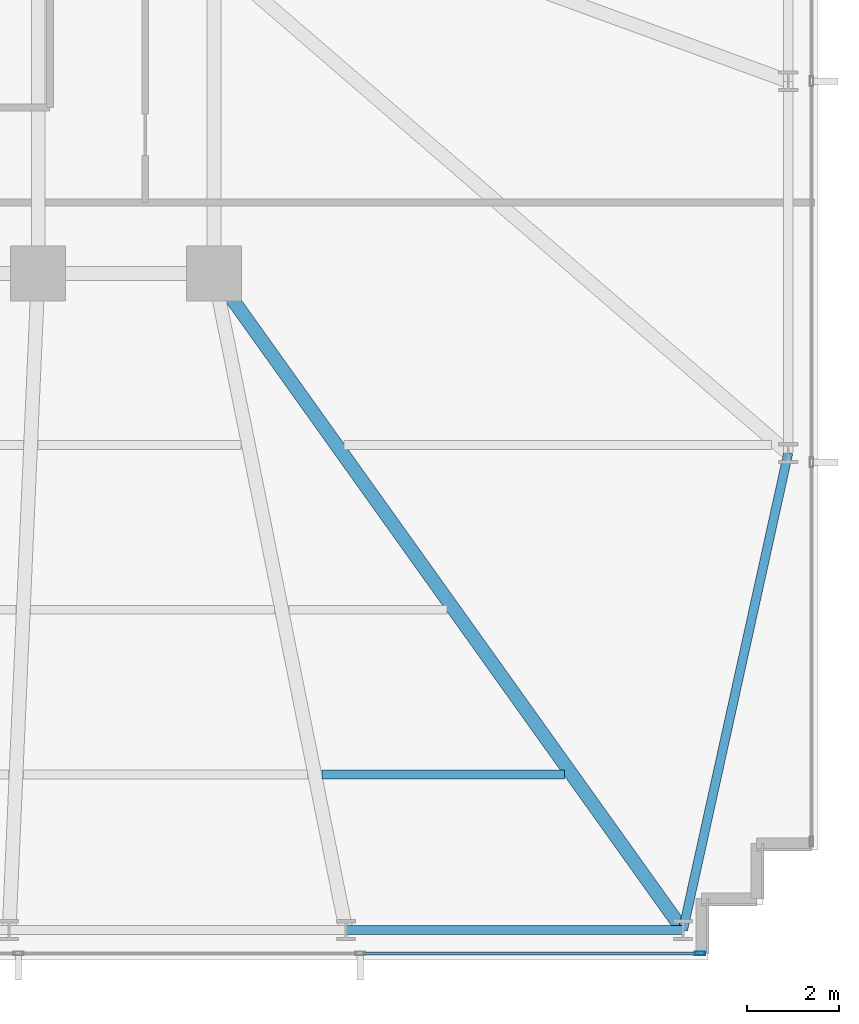
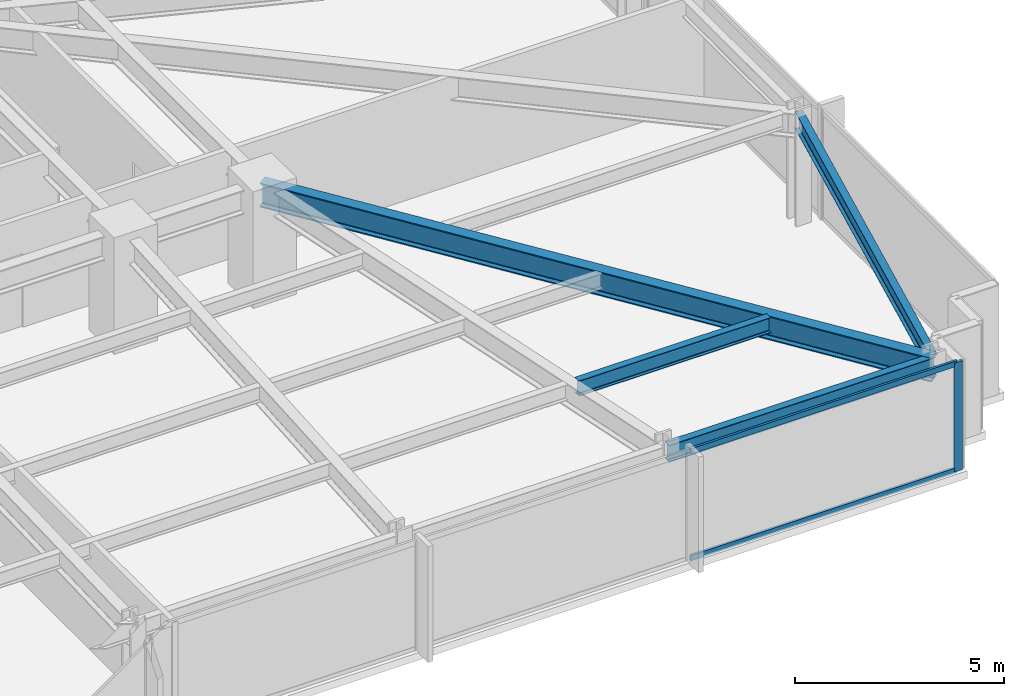
# One storey, part 15 of 33: 4 beams, 3 members, 1 element without a shape of its own.
"""IFC4 building model written with IfcOpenShell, lengths in metres."""

import ifcopenshell
import ifcopenshell.guid

model = None  # the IFC model being written
_history = None  # IfcOwnerHistory: only IFC2X3 demands one
_inside = {}  # id of a spatial element -> (the spatial element, [elements in it])
_under = {}  # id of a project, library or spatial element -> (it, [spatial elements below it])
_declared = {}  # id of a project -> (the project, [libraries it declares])
_typed = {}  # id of a type object -> (the type object, [elements of that type])
_made_of = {}  # id of a material, layer set ... -> (it, [elements and type objects made of it])


def new_model(schema):
    """Start an empty IFC model of exactly this schema.

    Asked for "IFC4X3", IfcOpenShell would pick the latest addendum, in which some entities
    have other attributes; the version numbers below select the first issue.
    IFC2X3 requires an IfcOwnerHistory on every rooted entity: one is made here for all.
    """
    global model, _history
    if schema == "IFC4X3":
        model = ifcopenshell.file(schema_version=(4, 3, 0, 0))
    else:
        model = ifcopenshell.file(schema=schema)
    _inside.clear()
    _under.clear()
    _declared.clear()
    _typed.clear()
    _made_of.clear()
    _history = None
    if model.schema == "IFC2X3":
        org = make("IfcOrganization", Name="unknown")
        user = make(
            "IfcPersonAndOrganization",
            ThePerson=make("IfcPerson", FamilyName="unknown"),
            TheOrganization=org,
        )
        app = make(
            "IfcApplication",
            ApplicationDeveloper=org,
            Version="unknown",
            ApplicationFullName="unknown",
            ApplicationIdentifier="unknown",
        )
        _history = make(
            "IfcOwnerHistory",
            OwningUser=user,
            OwningApplication=app,
            ChangeAction="ADDED",
            CreationDate=0,
        )
    return model


def make(cls, **values):
    """One entity of the class cls with the attributes given. An attribute that is None is left unset."""
    return model.create_entity(
        cls, **{name: value for name, value in values.items() if value is not None}
    )


def rooted(cls, **values):
    """An entity with a GlobalId (a new one), such as an element, a storey or a relation."""
    return make(cls, GlobalId=ifcopenshell.guid.new(), OwnerHistory=_history, **values)


def si_unit(unit_type, name, prefix=None):
    """IfcSIUnit, for example si_unit("LENGTHUNIT", "METRE", prefix="MILLI")."""
    return make("IfcSIUnit", UnitType=unit_type, Prefix=prefix, Name=name)


def assignment(units):
    """IfcUnitAssignment: the units of a project."""
    return None if units is None else make("IfcUnitAssignment", Units=units)


def point(xyz):
    """IfcCartesianPoint."""
    return None if xyz is None else make("IfcCartesianPoint", Coordinates=xyz)


def direction(xyz):
    """IfcDirection."""
    return None if xyz is None else make("IfcDirection", DirectionRatios=xyz)


def frame(location, z_axis=None, x_axis=None):
    """IfcAxis2Placement3D, a coordinate frame: its origin and axes. An axis left out is left unset."""
    return make(
        "IfcAxis2Placement3D",
        Location=point(location),
        Axis=direction(z_axis),
        RefDirection=direction(x_axis),
    )


def frame_2d(location, x_axis=None):
    """IfcAxis2Placement2D, a coordinate frame in the plane: its origin and x axis."""
    return make(
        "IfcAxis2Placement2D", Location=point(location), RefDirection=direction(x_axis)
    )


def origin():
    """The frame at (0, 0, 0) with its axes left unset."""
    return frame((0.0, 0.0, 0.0))


def origin_2d():
    """The frame at (0, 0) in the plane with its x axis left unset."""
    return frame_2d((0.0, 0.0))


def place(relative_to, where):
    """IfcLocalPlacement: puts the frame where relative to a parent placement (None: the world)."""
    return make(
        "IfcLocalPlacement", PlacementRelTo=relative_to, RelativePlacement=where
    )


def context(
    kind, dimensions, precision=None, world=None, true_north=None, identifier=None
):
    """IfcGeometricRepresentationContext, for example the 3D "Model" context."""
    return make(
        "IfcGeometricRepresentationContext",
        ContextIdentifier=identifier,
        ContextType=kind,
        CoordinateSpaceDimension=dimensions,
        Precision=precision,
        WorldCoordinateSystem=world,
        TrueNorth=true_north,
    )


def subcontext(parent, identifier, kind, view, scale=None):
    """IfcGeometricRepresentationSubContext, for example "Body" below "Model"."""
    return make(
        "IfcGeometricRepresentationSubContext",
        ContextIdentifier=identifier,
        ContextType=kind,
        ParentContext=parent,
        TargetScale=scale,
        TargetView=view,
    )


def project(units=None, contexts=None):
    """IfcProject with its units and contexts."""
    return rooted(
        "IfcProject",
        Name="project",
        RepresentationContexts=contexts,
        UnitsInContext=assignment(units),
    )


def spatial(cls, under=None, at=None, **own):
    """A site, building, storey or space (cls), placed at a placement, below another one or the project."""
    s = rooted(cls, ObjectPlacement=at, **own)
    if under is not None:
        _under.setdefault(under.id(), (under, []))[1].append(s)
    return s


def profile(cls, at=None, kind="AREA", **sizes):
    """A parametric profile (cls). Its sizes go by their IFC names, for example OverallWidth=200.0."""
    return make(cls, ProfileType=kind, Position=at, **sizes)


def hollow_rectangle(**sizes):
    """IfcRectangleHollowProfileDef."""
    return profile("IfcRectangleHollowProfileDef", **sizes)


def i_section(**sizes):
    """IfcIShapeProfileDef."""
    return profile("IfcIShapeProfileDef", **sizes)


def extrude(swept, where, along, depth):
    """IfcExtrudedAreaSolid: the profile swept, set in the frame where, extruded along a direction by depth."""
    return make(
        "IfcExtrudedAreaSolid",
        SweptArea=swept,
        Position=where,
        ExtrudedDirection=direction(along),
        Depth=depth,
    )


def shape(context_of_items, identifier, shape_type, items):
    """IfcShapeRepresentation: the items that make up one representation, for example the "Body"."""
    return make(
        "IfcShapeRepresentation",
        ContextOfItems=context_of_items,
        RepresentationIdentifier=identifier,
        RepresentationType=shape_type,
        Items=items,
    )


def material(Name=None, Category=None):
    """IfcMaterial."""
    return make("IfcMaterial", Name=Name, Category=Category)


def material_profile(
    of_material, cross_section, Name=None, Category=None, Priority=None
):
    """IfcMaterialProfile: a cross section and its material."""
    return make(
        "IfcMaterialProfile",
        Name=Name,
        Material=of_material,
        Profile=cross_section,
        Priority=Priority,
        Category=Category,
    )


def profile_set(profiles, Name=None, composite=None):
    """IfcMaterialProfileSet."""
    return make(
        "IfcMaterialProfileSet",
        Name=Name,
        MaterialProfiles=profiles,
        CompositeProfile=composite,
    )


def made_of(thing, what):
    """Note that an element or type object is made of a material, layer set ...; save() writes the relation."""
    if what is not None:
        _made_of.setdefault(what.id(), (what, []))[1].append(thing)
    return thing


def type_object(cls, material=None, **own):
    """A type object (cls), such as IfcWallType, which elements share."""
    return made_of(rooted(cls, **own), material)


def element(
    cls,
    number,
    at=None,
    inside=None,
    cuts=None,
    type_object=None,
    material=None,
    context=None,
    identifier="Body",
    shape_type=None,
    held_by="IfcProductDefinitionShape",
    body=None,
    shapes=None,
    **own,
):
    """One element of the class cls, such as IfcWall. Its Tag is "e" and its number.

    at: its placement. inside: the storey or other place that contains it. cuts: it is an
    opening in that element (IfcRelVoidsElement). A single representation is given by context,
    identifier, shape_type and body (its items); several are given by shapes. held_by: the class
    of the entity that holds the representations. save() writes the other relations.
    """
    e = rooted(cls, Tag="e%d" % number, ObjectPlacement=at, **own)
    if body is not None:
        shapes = [shape(context, identifier, shape_type, body)]
    if shapes is not None:
        e.Representation = make(held_by, Representations=shapes)
    if inside is not None:
        _inside.setdefault(inside.id(), (inside, []))[1].append(e)
    if cuts is not None:
        rooted(
            "IfcRelVoidsElement", RelatingBuildingElement=cuts, RelatedOpeningElement=e
        )
    if type_object is not None:
        _typed.setdefault(type_object.id(), (type_object, []))[1].append(e)
    return made_of(e, material)


def aggregate(whole, parts):
    """IfcRelAggregates: a whole, such as a stair, and the parts it consists of."""
    return rooted("IfcRelAggregates", RelatingObject=whole, RelatedObjects=parts)


def save(model, path):
    """Write the relations noted so far, then the file.

    IfcRelAggregates (storeys below a building ...), IfcRelContainedInSpatialStructure (elements
    in a storey), IfcRelDefinesByType, IfcRelAssociatesMaterial and IfcRelDeclares: one each for
    every whole, place, type object, material and project.
    """
    for whole, parts in _under.values():
        aggregate(whole, parts)
    for where, things in _inside.values():
        rooted(
            "IfcRelContainedInSpatialStructure",
            RelatedElements=things,
            RelatingStructure=where,
        )
    for kind, things in _typed.values():
        rooted("IfcRelDefinesByType", RelatedObjects=things, RelatingType=kind)
    for what, things in _made_of.values():
        rooted("IfcRelAssociatesMaterial", RelatedObjects=things, RelatingMaterial=what)
    for by, libraries in _declared.values():
        rooted("IfcRelDeclares", RelatingContext=by, RelatedDefinitions=libraries)
    model.write(path)


model = new_model("IFC4")

# Units and contexts
model_context = context("Model", 3, precision=1e-05, world=origin(), true_north=direction((0.0, 1.0)))
body_context = subcontext(model_context, "Body", "Model", "MODEL_VIEW")
ifc_project = project(units=[si_unit("LENGTHUNIT", "METRE"), si_unit("AREAUNIT", "SQUARE_METRE"), si_unit("VOLUMEUNIT", "CUBIC_METRE"), si_unit("PLANEANGLEUNIT", "RADIAN"), si_unit("MASSUNIT", "GRAM", prefix="KILO")], contexts=[model_context])

# Site, building, storey
site_placement = place(None, origin())
site = spatial("IfcSite", under=ifc_project, at=site_placement, CompositionType="ELEMENT")
building_placement = place(site_placement, origin())
building = spatial("IfcBuilding", under=site, at=building_placement, Name="Yelkora Congress Tower", CompositionType="ELEMENT")
storey_placement = place(building_placement, frame((0.0, 0.0, 54.199951171875)))
storey = spatial("IfcBuildingStorey", under=building, at=storey_placement, Name="L13", CompositionType="ELEMENT", Elevation=54.199951171875)

# Beams
ifc_material_1 = material(Name="Steel S355J2", Category="steel")
ifc_material_profile_1 = material_profile(ifc_material_1, i_section(OverallWidth=0.300048828125, OverallDepth=0.699951171875, WebThickness=0.01708984375, FlangeThickness=0.031982421875, FilletRadius=0.027099609375, at=origin_2d()), Name="HEB 700")
ifc_profile_set_1 = profile_set([ifc_material_profile_1], Name="Steel S355J2")
beam_type_1 = type_object("IfcBeamType", Name="BM-GIRD-HEB700", PredefinedType="BEAM", material=ifc_profile_set_1)
beam_1_placement = place(storey_placement, frame((67.85009765625, 10.85009765625, 2.830078125), z_axis=(-0.581242122521, 0.813730664906, 0.0), x_axis=(-0.813730664906, -0.581242122521, 0.0)))
element("IfcBeam", 1, at=beam_1_placement, inside=storey, type_object=beam_type_1, Name="L13 Primary Frame Girder S09", PredefinedType="BEAM", context=body_context, shape_type="SweptSolid", body=[
    extrude(i_section(OverallWidth=0.300048828125, OverallDepth=0.699951171875, WebThickness=0.01708984375, FlangeThickness=0.031982421875, FilletRadius=0.027099609375, at=origin_2d()), origin(), (0.0, 0.0, 1.0), 17.634765625),
])
ifc_material_profile_2 = material_profile(ifc_material_1, i_section(OverallWidth=0.18994140625, OverallDepth=0.449951171875, WebThickness=0.009521484375, FlangeThickness=0.0146484375, FilletRadius=0.02099609375, at=origin_2d()), Name="IPE 450")
ifc_profile_set_2 = profile_set([ifc_material_profile_2], Name="Steel S355J2")
beam_type_2 = type_object("IfcBeamType", Name="BM-JOIST-IPE450", PredefinedType="JOIST", material=ifc_profile_set_2)
beam_2_placement = place(storey_placement, frame((59.96337890625, 14.25, 2.955078125), z_axis=(1.0, 0.0, 0.0), x_axis=(0.0, 1.0, 0.0)))
element("IfcBeam", 2, at=beam_2_placement, inside=storey, type_object=beam_type_2, Name="L13 Composite Floor Joist 8", PredefinedType="JOIST", context=body_context, shape_type="SweptSolid", body=[
    extrude(i_section(OverallWidth=0.18994140625, OverallDepth=0.449951171875, WebThickness=0.009521484375, FlangeThickness=0.0146484375, FilletRadius=0.02099609375, at=origin_2d()), origin(), (0.0, 0.0, 1.0), 5.298095703125),
])
ifc_material_profile_3 = material_profile(ifc_material_1, i_section(OverallWidth=0.199951171875, OverallDepth=0.5, WebThickness=0.01025390625, FlangeThickness=0.01611328125, FilletRadius=0.02099609375, at=origin_2d()), Name="IPE 500")
ifc_profile_set_3 = profile_set([ifc_material_profile_3], Name="Steel S355J2")
beam_type_3 = type_object("IfcBeamType", Name="BM-SPAN-IPE500", PredefinedType="SPANDREL", material=ifc_profile_set_3)
beam_3_placement = place(storey_placement, frame((60.487548828125, 10.85009765625, 2.929931640625), z_axis=(1.0, 0.0, 0.0), x_axis=(0.0, 1.0, 0.0)))
element("IfcBeam", 3, at=beam_3_placement, inside=storey, type_object=beam_type_3, Name="L13 Perimeter Beam 9", PredefinedType="SPANDREL", context=body_context, shape_type="SweptSolid", body=[
    extrude(i_section(OverallWidth=0.199951171875, OverallDepth=0.5, WebThickness=0.01025390625, FlangeThickness=0.01611328125, FilletRadius=0.02099609375, at=origin_2d()), origin(), (0.0, 0.0, 1.0), 7.362548828125),
])
beam_4_placement = place(storey_placement, frame((67.85009765625, 10.85009765625, 2.929931640625), z_axis=(0.215428898349, 0.97651952861, 0.0), x_axis=(-0.97651952861, 0.215428898349, 0.0)))
element("IfcBeam", 4, at=beam_4_placement, inside=storey, type_object=beam_type_3, Name="L13 Perimeter Beam 10", PredefinedType="SPANDREL", context=body_context, shape_type="SweptSolid", body=[
    extrude(i_section(OverallWidth=0.199951171875, OverallDepth=0.5, WebThickness=0.01025390625, FlangeThickness=0.01611328125, FilletRadius=0.02099609375, at=origin_2d()), origin(), (0.0, 0.0, 1.0), 10.675537109375),
])

# Curtain wall, members
ifc_material_2 = material(Name="Anodised aluminium and insulated glass", Category="aluminium")
curtain_wall_type = type_object("IfcCurtainWallType", Name="CW-SYS-B1", PredefinedType="NOTDEFINED", material=ifc_material_2)
curtain_wall_placement = place(storey_placement, origin())
curtain_wall = element("IfcCurtainWall", 5, at=curtain_wall_placement, inside=storey, type_object=curtain_wall_type, Name="L13 Unitised Curtain Wall 20", PredefinedType="NOTDEFINED")
ifc_material_3 = material(Name="Anodised aluminium 6063-T6", Category="aluminium")
ifc_material_profile_4 = material_profile(ifc_material_3, hollow_rectangle(XDim=0.074951171875, YDim=0.219970703125, WallThickness=0.0048828125, at=origin_2d()), Name="ALU 75x220x5")
ifc_profile_set_4 = profile_set([ifc_material_profile_4], Name="Anodised aluminium 6063-T6")
member_type_1 = type_object("IfcMemberType", Name="MEM-ML-B1", PredefinedType="MULLION", material=ifc_profile_set_4)
member_1_placement = place(storey_placement, frame((68.222412109375, 10.340087890625, 0.0), z_axis=(0.0, 0.0, 1.0), x_axis=(0.0, -1.0, 0.0)))
member_1 = element("IfcMember", 6, at=member_1_placement, type_object=member_type_1, Name="CW-B1 mullion 1", PredefinedType="MULLION", context=body_context, shape_type="SweptSolid", body=[
    extrude(hollow_rectangle(XDim=0.074951171875, YDim=0.219970703125, WallThickness=0.0048828125, at=origin_2d()), origin(), (0.0, 0.0, 1.0), 3.179931640625),
])
ifc_material_profile_5 = material_profile(ifc_material_3, hollow_rectangle(XDim=0.06494140625, YDim=0.159912109375, WallThickness=0.00390625, at=origin_2d()), Name="ALU 65x160x4")
ifc_profile_set_5 = profile_set([ifc_material_profile_5], Name="Anodised aluminium 6063-T6")
member_type_2 = type_object("IfcMemberType", Name="MEM-TR-B1", PredefinedType="USERDEFINED", material=ifc_profile_set_5)
member_2_placement = place(storey_placement, frame((68.18505859375, 10.340087890625, 0.032470703125), z_axis=(-1.0, 0.0, 0.0), x_axis=(0.0, -1.0, 0.0)))
member_2 = element("IfcMember", 7, at=member_2_placement, type_object=member_type_2, Name="CW-B1 transom 1.1", ObjectType="TRANSOM", PredefinedType="USERDEFINED", context=body_context, shape_type="SweptSolid", body=[
    extrude(hollow_rectangle(XDim=0.06494140625, YDim=0.159912109375, WallThickness=0.00390625, at=origin_2d()), origin(), (0.0, 0.0, 1.0), 7.3525390625),
])
member_3_placement = place(storey_placement, frame((68.18505859375, 10.340087890625, 3.1474609375), z_axis=(-1.0, 0.0, 0.0), x_axis=(0.0, -1.0, 0.0)))
member_3 = element("IfcMember", 8, at=member_3_placement, type_object=member_type_2, Name="CW-B1 transom 1.2", ObjectType="TRANSOM", PredefinedType="USERDEFINED", context=body_context, shape_type="SweptSolid", body=[
    extrude(hollow_rectangle(XDim=0.06494140625, YDim=0.159912109375, WallThickness=0.00390625, at=origin_2d()), origin(), (0.0, 0.0, 1.0), 7.3525390625),
])
aggregate(curtain_wall, [member_1, member_2, member_3])

save(model, "model.ifc")
